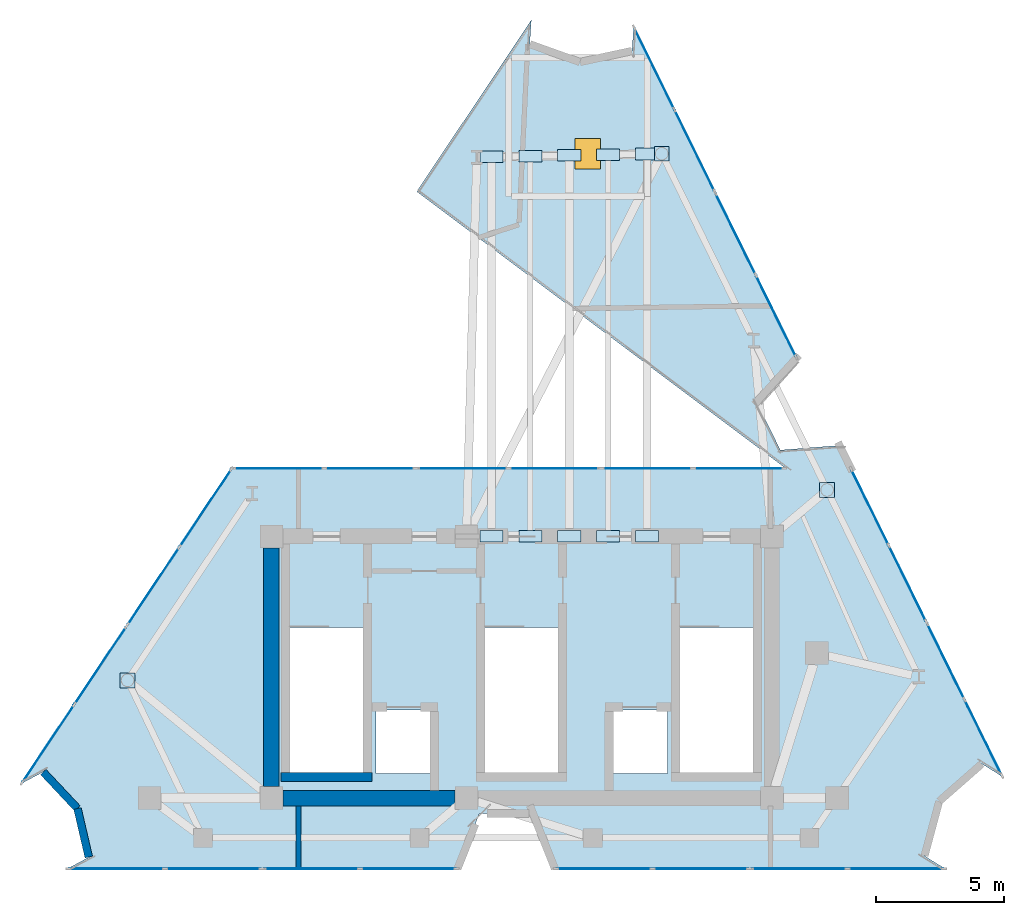
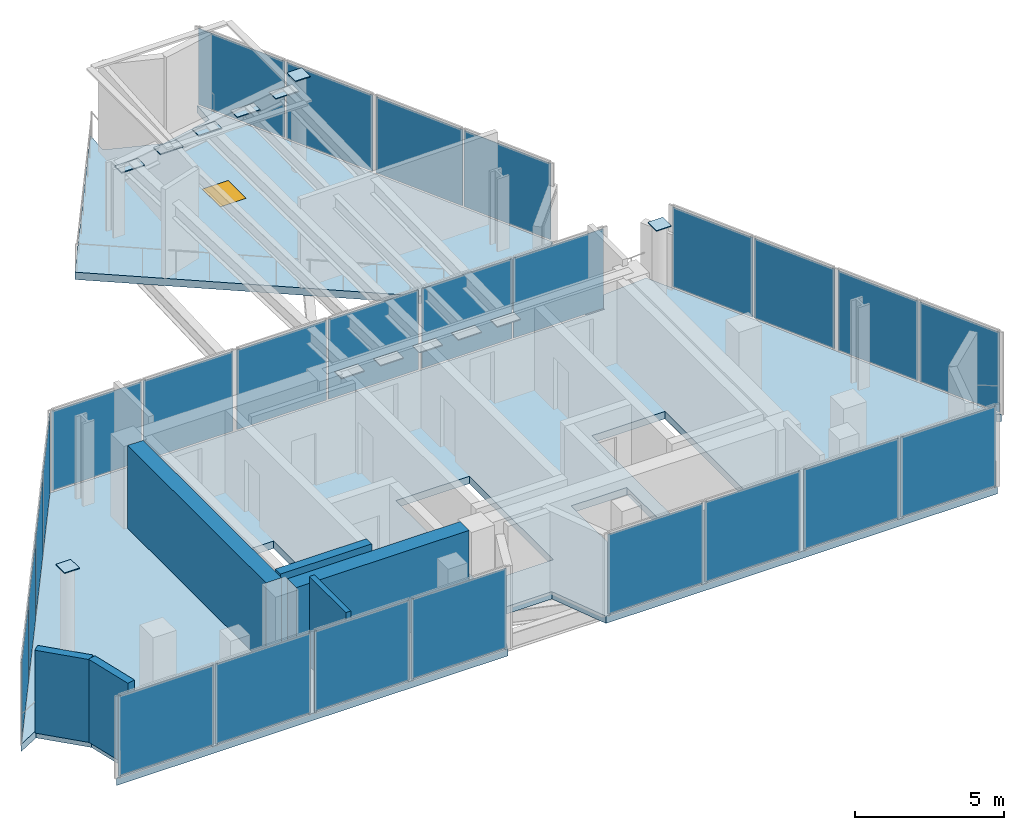
# One storey, part 5 of 7: 39 plates, 6 walls, 1 door, 1 slab, 1 opening, 13 elements without a shape of their own.
"""IFC4 building model written with IfcOpenShell, lengths in metres."""

import ifcopenshell
import ifcopenshell.guid

model = None  # the IFC model being written
_history = None  # IfcOwnerHistory: only IFC2X3 demands one
_inside = {}  # id of a spatial element -> (the spatial element, [elements in it])
_under = {}  # id of a project, library or spatial element -> (it, [spatial elements below it])
_declared = {}  # id of a project -> (the project, [libraries it declares])
_typed = {}  # id of a type object -> (the type object, [elements of that type])
_made_of = {}  # id of a material, layer set ... -> (it, [elements and type objects made of it])


def new_model(schema):
    """Start an empty IFC model of exactly this schema.

    Asked for "IFC4X3", IfcOpenShell would pick the latest addendum, in which some entities
    have other attributes; the version numbers below select the first issue.
    IFC2X3 requires an IfcOwnerHistory on every rooted entity: one is made here for all.
    """
    global model, _history
    if schema == "IFC4X3":
        model = ifcopenshell.file(schema_version=(4, 3, 0, 0))
    else:
        model = ifcopenshell.file(schema=schema)
    _inside.clear()
    _under.clear()
    _declared.clear()
    _typed.clear()
    _made_of.clear()
    _history = None
    if model.schema == "IFC2X3":
        org = make("IfcOrganization", Name="unknown")
        user = make(
            "IfcPersonAndOrganization",
            ThePerson=make("IfcPerson", FamilyName="unknown"),
            TheOrganization=org,
        )
        app = make(
            "IfcApplication",
            ApplicationDeveloper=org,
            Version="unknown",
            ApplicationFullName="unknown",
            ApplicationIdentifier="unknown",
        )
        _history = make(
            "IfcOwnerHistory",
            OwningUser=user,
            OwningApplication=app,
            ChangeAction="ADDED",
            CreationDate=0,
        )
    return model


def make(cls, **values):
    """One entity of the class cls with the attributes given. An attribute that is None is left unset."""
    return model.create_entity(
        cls, **{name: value for name, value in values.items() if value is not None}
    )


def rooted(cls, **values):
    """An entity with a GlobalId (a new one), such as an element, a storey or a relation."""
    return make(cls, GlobalId=ifcopenshell.guid.new(), OwnerHistory=_history, **values)


def si_unit(unit_type, name, prefix=None):
    """IfcSIUnit, for example si_unit("LENGTHUNIT", "METRE", prefix="MILLI")."""
    return make("IfcSIUnit", UnitType=unit_type, Prefix=prefix, Name=name)


def assignment(units):
    """IfcUnitAssignment: the units of a project."""
    return None if units is None else make("IfcUnitAssignment", Units=units)


def point(xyz):
    """IfcCartesianPoint."""
    return None if xyz is None else make("IfcCartesianPoint", Coordinates=xyz)


def direction(xyz):
    """IfcDirection."""
    return None if xyz is None else make("IfcDirection", DirectionRatios=xyz)


def frame(location, z_axis=None, x_axis=None):
    """IfcAxis2Placement3D, a coordinate frame: its origin and axes. An axis left out is left unset."""
    return make(
        "IfcAxis2Placement3D",
        Location=point(location),
        Axis=direction(z_axis),
        RefDirection=direction(x_axis),
    )


def frame_2d(location, x_axis=None):
    """IfcAxis2Placement2D, a coordinate frame in the plane: its origin and x axis."""
    return make(
        "IfcAxis2Placement2D", Location=point(location), RefDirection=direction(x_axis)
    )


def origin():
    """The frame at (0, 0, 0) with its axes left unset."""
    return frame((0.0, 0.0, 0.0))


def origin_2d():
    """The frame at (0, 0) in the plane with its x axis left unset."""
    return frame_2d((0.0, 0.0))


def place(relative_to, where):
    """IfcLocalPlacement: puts the frame where relative to a parent placement (None: the world)."""
    return make(
        "IfcLocalPlacement", PlacementRelTo=relative_to, RelativePlacement=where
    )


def context(
    kind, dimensions, precision=None, world=None, true_north=None, identifier=None
):
    """IfcGeometricRepresentationContext, for example the 3D "Model" context."""
    return make(
        "IfcGeometricRepresentationContext",
        ContextIdentifier=identifier,
        ContextType=kind,
        CoordinateSpaceDimension=dimensions,
        Precision=precision,
        WorldCoordinateSystem=world,
        TrueNorth=true_north,
    )


def subcontext(parent, identifier, kind, view, scale=None):
    """IfcGeometricRepresentationSubContext, for example "Body" below "Model"."""
    return make(
        "IfcGeometricRepresentationSubContext",
        ContextIdentifier=identifier,
        ContextType=kind,
        ParentContext=parent,
        TargetScale=scale,
        TargetView=view,
    )


def project(units=None, contexts=None):
    """IfcProject with its units and contexts."""
    return rooted(
        "IfcProject",
        Name="project",
        RepresentationContexts=contexts,
        UnitsInContext=assignment(units),
    )


def spatial(cls, under=None, at=None, **own):
    """A site, building, storey or space (cls), placed at a placement, below another one or the project."""
    s = rooted(cls, ObjectPlacement=at, **own)
    if under is not None:
        _under.setdefault(under.id(), (under, []))[1].append(s)
    return s


def polyline(points):
    """IfcPolyline through the points."""
    return make("IfcPolyline", Points=[point(p) for p in points])


def profile(cls, at=None, kind="AREA", **sizes):
    """A parametric profile (cls). Its sizes go by their IFC names, for example OverallWidth=200.0."""
    return make(cls, ProfileType=kind, Position=at, **sizes)


def rectangle(**sizes):
    """IfcRectangleProfileDef."""
    return profile("IfcRectangleProfileDef", **sizes)


def outline(outer, holes=None, kind="AREA"):
    """IfcArbitraryClosedProfileDef: a profile drawn as a closed curve; with holes, ...WithVoids."""
    if holes is None:
        return make("IfcArbitraryClosedProfileDef", ProfileType=kind, OuterCurve=outer)
    return make(
        "IfcArbitraryProfileDefWithVoids",
        ProfileType=kind,
        OuterCurve=outer,
        InnerCurves=holes,
    )


def extrude(swept, where, along, depth):
    """IfcExtrudedAreaSolid: the profile swept, set in the frame where, extruded along a direction by depth."""
    return make(
        "IfcExtrudedAreaSolid",
        SweptArea=swept,
        Position=where,
        ExtrudedDirection=direction(along),
        Depth=depth,
    )


def shape(context_of_items, identifier, shape_type, items):
    """IfcShapeRepresentation: the items that make up one representation, for example the "Body"."""
    return make(
        "IfcShapeRepresentation",
        ContextOfItems=context_of_items,
        RepresentationIdentifier=identifier,
        RepresentationType=shape_type,
        Items=items,
    )


def material(Name=None, Category=None):
    """IfcMaterial."""
    return make("IfcMaterial", Name=Name, Category=Category)


def layer(
    of_material, thickness, ventilated=None, Name=None, Category=None, Priority=None
):
    """IfcMaterialLayer: one layer of a wall or slab, of a material (None: an air gap)."""
    return make(
        "IfcMaterialLayer",
        Material=of_material,
        LayerThickness=thickness,
        IsVentilated=ventilated,
        Name=Name,
        Category=Category,
        Priority=Priority,
    )


def layer_set(layers, Name=None):
    """IfcMaterialLayerSet."""
    return make("IfcMaterialLayerSet", MaterialLayers=layers, LayerSetName=Name)


def made_of(thing, what):
    """Note that an element or type object is made of a material, layer set ...; save() writes the relation."""
    if what is not None:
        _made_of.setdefault(what.id(), (what, []))[1].append(thing)
    return thing


def type_object(cls, material=None, **own):
    """A type object (cls), such as IfcWallType, which elements share."""
    return made_of(rooted(cls, **own), material)


def element(
    cls,
    number,
    at=None,
    inside=None,
    cuts=None,
    type_object=None,
    material=None,
    context=None,
    identifier="Body",
    shape_type=None,
    held_by="IfcProductDefinitionShape",
    body=None,
    shapes=None,
    **own,
):
    """One element of the class cls, such as IfcWall. Its Tag is "e" and its number.

    at: its placement. inside: the storey or other place that contains it. cuts: it is an
    opening in that element (IfcRelVoidsElement). A single representation is given by context,
    identifier, shape_type and body (its items); several are given by shapes. held_by: the class
    of the entity that holds the representations. save() writes the other relations.
    """
    e = rooted(cls, Tag="e%d" % number, ObjectPlacement=at, **own)
    if body is not None:
        shapes = [shape(context, identifier, shape_type, body)]
    if shapes is not None:
        e.Representation = make(held_by, Representations=shapes)
    if inside is not None:
        _inside.setdefault(inside.id(), (inside, []))[1].append(e)
    if cuts is not None:
        rooted(
            "IfcRelVoidsElement", RelatingBuildingElement=cuts, RelatedOpeningElement=e
        )
    if type_object is not None:
        _typed.setdefault(type_object.id(), (type_object, []))[1].append(e)
    return made_of(e, material)


def fill(opening, filler):
    """IfcRelFillsElement: the door or window that sits in an opening."""
    return rooted(
        "IfcRelFillsElement",
        RelatingOpeningElement=opening,
        RelatedBuildingElement=filler,
    )


def aggregate(whole, parts):
    """IfcRelAggregates: a whole, such as a stair, and the parts it consists of."""
    return rooted("IfcRelAggregates", RelatingObject=whole, RelatedObjects=parts)


def save(model, path):
    """Write the relations noted so far, then the file.

    IfcRelAggregates (storeys below a building ...), IfcRelContainedInSpatialStructure (elements
    in a storey), IfcRelDefinesByType, IfcRelAssociatesMaterial and IfcRelDeclares: one each for
    every whole, place, type object, material and project.
    """
    for whole, parts in _under.values():
        aggregate(whole, parts)
    for where, things in _inside.values():
        rooted(
            "IfcRelContainedInSpatialStructure",
            RelatedElements=things,
            RelatingStructure=where,
        )
    for kind, things in _typed.values():
        rooted("IfcRelDefinesByType", RelatedObjects=things, RelatingType=kind)
    for what, things in _made_of.values():
        rooted("IfcRelAssociatesMaterial", RelatedObjects=things, RelatingMaterial=what)
    for by, libraries in _declared.values():
        rooted("IfcRelDeclares", RelatingContext=by, RelatedDefinitions=libraries)
    model.write(path)


model = new_model("IFC4")

# Units and contexts
model_context = context("Model", 3, precision=1e-05, world=origin(), true_north=direction((0.0, 1.0)))
body_context = subcontext(model_context, "Body", "Model", "MODEL_VIEW")
ifc_project = project(units=[si_unit("LENGTHUNIT", "METRE"), si_unit("AREAUNIT", "SQUARE_METRE"), si_unit("VOLUMEUNIT", "CUBIC_METRE"), si_unit("PLANEANGLEUNIT", "RADIAN"), si_unit("MASSUNIT", "GRAM", prefix="KILO")], contexts=[model_context])

# Site, building, storey
site_placement = place(None, origin())
site = spatial("IfcSite", under=ifc_project, at=site_placement, CompositionType="ELEMENT")
building_placement = place(site_placement, origin())
building = spatial("IfcBuilding", under=site, at=building_placement, Name="Almagre Mirador Tower", CompositionType="ELEMENT")
storey_placement = place(building_placement, frame((0.0, 0.0, 318.5)))
storey = spatial("IfcBuildingStorey", under=building, at=storey_placement, Name="L82", CompositionType="ELEMENT", Elevation=318.5)

# Plates
ifc_material_1 = material(Name="Steel ASTM A572 Grade 50", Category="steel")
ifc_layer_1 = layer(ifc_material_1, 0.035888671875)
ifc_layer_set_1 = layer_set([ifc_layer_1], Name="Steel ASTM A572 Grade 50")
plate_type_1 = type_object("IfcPlateType", Name="PLT-GUS-1350X900X36", PredefinedType="USERDEFINED", material=ifc_layer_set_1)
for number, where, z_axis, x_axis, name in (
    (1, (49.205078125, 16.55810546875, 3.39697265625), (0.0, 0.0, 1.0), (1.0, 0.0, 0.0), "L82 hollow column top seal cap plate PC06 GP-02"),
    (2, (42.760986328125, 29.662109375, 3.84716796875), (0.0, 0.0, 1.0), (1.0, 0.0, 0.0), "L82 hollow column top seal cap plate PC08 GP-02"),
    (3, (21.944091796875, 9.14208984375, 3.39697265625), (0.0, 0.0, 1.0), (1.0, 0.0, 0.0), "L82 hollow column top seal cap plate PC12 GP-02"),
):
    element("IfcPlate", number, at=place(storey_placement, frame(where, z_axis=z_axis, x_axis=x_axis)), inside=storey, type_object=plate_type_1, Name=name, ObjectType="GUSSET_PLATE", PredefinedType="USERDEFINED", context=body_context, shape_type="SweptSolid", body=[
        extrude(rectangle(XDim=0.580078125, YDim=0.580078125, at=origin_2d()), origin(), (0.0, 0.0, 1.0), 0.035888671875),
    ])
for number, where, z_axis, x_axis, name in (
    (4, (36.128662109375, 14.75, 3.0322265625), (0.0, 0.0, 1.0), (1.0, 0.0, 0.0), "Crown rafter 01 S anchorage plate GP-02"),
    (5, (36.128662109375, 29.536865234375, 2.51220703125), (0.0, 0.0, 1.0), (1.0, 0.0, 0.0), "Crown rafter 01 N anchorage plate GP-02"),
    (6, (37.642578125, 14.75, 3.0322265625), (0.0, 0.0, 1.0), (1.0, 0.0, 0.0), "Crown rafter 02 S anchorage plate GP-02"),
    (7, (37.642578125, 29.5654296875, 2.72216796875), (0.0, 0.0, 1.0), (1.0, 0.0, 0.0), "Crown rafter 02 N anchorage plate GP-02"),
    (8, (39.156494140625, 14.75, 3.0322265625), (0.0, 0.0, 1.0), (1.0, 0.0, 0.0), "Crown rafter 03 S anchorage plate GP-02"),
    (9, (39.156494140625, 29.593994140625, 2.93212890625), (0.0, 0.0, 1.0), (1.0, 0.0, 0.0), "Crown rafter 03 N anchorage plate GP-02"),
    (10, (40.67041015625, 14.75, 3.0322265625), (0.0, 0.0, 1.0), (1.0, 0.0, 0.0), "Crown rafter 04 S anchorage plate GP-02"),
    (11, (40.67041015625, 29.62255859375, 3.14208984375), (0.0, 0.0, 1.0), (1.0, 0.0, 0.0), "Crown rafter 04 N anchorage plate GP-02"),
    (12, (42.184326171875, 14.75, 3.0322265625), (0.0, 0.0, 1.0), (1.0, 0.0, 0.0), "Crown rafter 05 S anchorage plate GP-02"),
    (13, (42.184326171875, 29.651123046875, 3.35205078125), (0.0, 0.0, 1.0), (1.0, 0.0, 0.0), "Crown rafter 05 N anchorage plate GP-02"),
):
    element("IfcPlate", number, at=place(storey_placement, frame(where, z_axis=z_axis, x_axis=x_axis)), inside=storey, type_object=plate_type_1, Name=name, ObjectType="GUSSET_PLATE", PredefinedType="USERDEFINED", context=body_context, shape_type="SweptSolid", body=[
        extrude(rectangle(XDim=0.89990234375, YDim=0.449951171875, at=origin_2d()), origin(), (0.0, 0.0, 1.0), 0.035888671875),
    ])

# Curtain wall, plates
ifc_material_2 = material(Name="Black anodized aluminium", Category="aluminium")
ifc_layer_2 = layer(ifc_material_2, 0.2099609375)
ifc_layer_set_2 = layer_set([ifc_layer_2], Name="Black anodized aluminium")
curtain_wall_type = type_object("IfcCurtainWallType", Name="CW-CRN-SYS", PredefinedType="NOTDEFINED", material=ifc_layer_set_2)
curtain_wall_1_placement = place(storey_placement, origin())
curtain_wall_1 = element("IfcCurtainWall", 14, at=curtain_wall_1_placement, inside=storey, type_object=curtain_wall_type, Name="L82 curtain wall run 01", PredefinedType="NOTDEFINED")
ifc_material_3 = material(Name="Dark solar-control laminated hurricane glass", Category="glass")
ifc_layer_3 = layer(ifc_material_3, 0.030029296875)
ifc_layer_set_3 = layer_set([ifc_layer_3], Name="Dark solar-control laminated hurricane glass")
plate_type_2 = type_object("IfcPlateType", Name="PLT-SPN-30", PredefinedType="CURTAIN_PANEL", material=ifc_layer_set_3)
plate_1_placement = place(storey_placement, frame((18.85498046875, 6.67578125, 0.06494140625), z_axis=(0.0, 0.0, 1.0), x_axis=(0.555219304371, 0.83170398824, 0.0)))
plate_1 = element("IfcPlate", 15, at=plate_1_placement, type_object=plate_type_2, Name="CW-6 panel 1.1", PredefinedType="CURTAIN_PANEL", context=body_context, shape_type="SweptSolid", body=[
    extrude(rectangle(XDim=3.583984375, YDim=0.030029296875, at=origin_2d()), origin(), (0.0, 0.0, 1.0), 3.27001953125),
])
plate_2_placement = place(storey_placement, frame((20.8837890625, 9.71484375, 0.06494140625), z_axis=(0.0, 0.0, 1.0), x_axis=(0.555219304371, 0.83170398824, 0.0)))
plate_2 = element("IfcPlate", 16, at=plate_2_placement, type_object=plate_type_2, Name="CW-6 panel 2.1", PredefinedType="CURTAIN_PANEL", context=body_context, shape_type="SweptSolid", body=[
    extrude(rectangle(XDim=3.583984375, YDim=0.030029296875, at=origin_2d()), origin(), (0.0, 0.0, 1.0), 3.27001953125),
])
aggregate(curtain_wall_1, [plate_1, plate_2])

curtain_wall_2_placement = place(storey_placement, origin())
curtain_wall_2 = element("IfcCurtainWall", 17, at=curtain_wall_2_placement, inside=storey, type_object=curtain_wall_type, Name="L82 curtain wall run 02", PredefinedType="NOTDEFINED")
plate_3_placement = place(storey_placement, frame((22.951416015625, 12.81201171875, 0.06494140625), z_axis=(0.0, 0.0, 1.0), x_axis=(0.555219304371, 0.83170398824, 0.0)))
plate_3 = element("IfcPlate", 18, at=plate_3_placement, type_object=plate_type_2, Name="CW-6 panel 1.1", PredefinedType="CURTAIN_PANEL", context=body_context, shape_type="SweptSolid", body=[
    extrude(rectangle(XDim=3.583984375, YDim=0.030029296875, at=origin_2d()), origin(), (0.0, 0.0, 1.0), 3.27001953125),
])
plate_4_placement = place(storey_placement, frame((24.97998046875, 15.85107421875, 0.06494140625), z_axis=(0.0, 0.0, 1.0), x_axis=(0.555219304371, 0.83170398824, 0.0)))
plate_4 = element("IfcPlate", 19, at=plate_4_placement, type_object=plate_type_2, Name="CW-6 panel 2.1", PredefinedType="CURTAIN_PANEL", context=body_context, shape_type="SweptSolid", body=[
    extrude(rectangle(XDim=3.583984375, YDim=0.030029296875, at=origin_2d()), origin(), (0.0, 0.0, 1.0), 3.27001953125),
])
aggregate(curtain_wall_2, [plate_3, plate_4])

curtain_wall_3_placement = place(storey_placement, origin())
curtain_wall_3 = element("IfcCurtainWall", 20, at=curtain_wall_3_placement, inside=storey, type_object=curtain_wall_type, Name="L82 curtain wall run 03", PredefinedType="NOTDEFINED")
plate_5_placement = place(storey_placement, frame((27.828125, 17.39990234375, 0.06494140625), z_axis=(0.0, 0.0, 1.0), x_axis=(1.0, 0.0, 0.0)))
plate_5 = element("IfcPlate", 21, at=plate_5_placement, type_object=plate_type_2, Name="CW-6 panel 1.1", PredefinedType="CURTAIN_PANEL", context=body_context, shape_type="SweptSolid", body=[
    extrude(rectangle(XDim=3.487548828125, YDim=0.030029296875, at=origin_2d()), origin(), (0.0, 0.0, 1.0), 3.27001953125),
])
plate_6_placement = place(storey_placement, frame((31.3857421875, 17.39990234375, 0.06494140625), z_axis=(0.0, 0.0, 1.0), x_axis=(1.0, 0.0, 0.0)))
plate_6 = element("IfcPlate", 22, at=plate_6_placement, type_object=plate_type_2, Name="CW-6 panel 2.1", PredefinedType="CURTAIN_PANEL", context=body_context, shape_type="SweptSolid", body=[
    extrude(rectangle(XDim=3.487548828125, YDim=0.030029296875, at=origin_2d()), origin(), (0.0, 0.0, 1.0), 3.27001953125),
])
aggregate(curtain_wall_3, [plate_5, plate_6])

curtain_wall_4_placement = place(storey_placement, origin())
curtain_wall_4 = element("IfcCurtainWall", 23, at=curtain_wall_4_placement, inside=storey, type_object=curtain_wall_type, Name="L82 curtain wall run 04", PredefinedType="NOTDEFINED")
plate_7_placement = place(storey_placement, frame((35.013427734375, 17.39990234375, 0.06494140625), z_axis=(0.0, 0.0, 1.0), x_axis=(1.0, 0.0, 0.0)))
plate_7 = element("IfcPlate", 24, at=plate_7_placement, type_object=plate_type_2, Name="CW-6 panel 1.1", PredefinedType="CURTAIN_PANEL", context=body_context, shape_type="SweptSolid", body=[
    extrude(rectangle(XDim=3.487548828125, YDim=0.030029296875, at=origin_2d()), origin(), (0.0, 0.0, 1.0), 3.27001953125),
])
plate_8_placement = place(storey_placement, frame((38.571044921875, 17.39990234375, 0.06494140625), z_axis=(0.0, 0.0, 1.0), x_axis=(1.0, 0.0, 0.0)))
plate_8 = element("IfcPlate", 25, at=plate_8_placement, type_object=plate_type_2, Name="CW-6 panel 2.1", PredefinedType="CURTAIN_PANEL", context=body_context, shape_type="SweptSolid", body=[
    extrude(rectangle(XDim=3.487548828125, YDim=0.030029296875, at=origin_2d()), origin(), (0.0, 0.0, 1.0), 3.27001953125),
])
aggregate(curtain_wall_4, [plate_7, plate_8])

curtain_wall_5_placement = place(storey_placement, origin())
curtain_wall_5 = element("IfcCurtainWall", 26, at=curtain_wall_5_placement, inside=storey, type_object=curtain_wall_type, Name="L82 curtain wall run 05", PredefinedType="NOTDEFINED")
plate_9_placement = place(storey_placement, frame((42.198486328125, 17.39990234375, 0.06494140625), z_axis=(0.0, 0.0, 1.0), x_axis=(1.0, 0.0, 0.0)))
plate_9 = element("IfcPlate", 27, at=plate_9_placement, type_object=plate_type_2, Name="CW-6 panel 1.1", PredefinedType="CURTAIN_PANEL", context=body_context, shape_type="SweptSolid", body=[
    extrude(rectangle(XDim=3.487548828125, YDim=0.030029296875, at=origin_2d()), origin(), (0.0, 0.0, 1.0), 3.27001953125),
])
plate_10_placement = place(storey_placement, frame((45.756103515625, 17.39990234375, 0.06494140625), z_axis=(0.0, 0.0, 1.0), x_axis=(1.0, 0.0, 0.0)))
plate_10 = element("IfcPlate", 28, at=plate_10_placement, type_object=plate_type_2, Name="CW-6 panel 2.1", PredefinedType="CURTAIN_PANEL", context=body_context, shape_type="SweptSolid", body=[
    extrude(rectangle(XDim=3.487548828125, YDim=0.030029296875, at=origin_2d()), origin(), (0.0, 0.0, 1.0), 3.27001953125),
])
aggregate(curtain_wall_5, [plate_9, plate_10])

curtain_wall_6_placement = place(storey_placement, origin())
curtain_wall_6 = element("IfcCurtainWall", 29, at=curtain_wall_6_placement, inside=storey, type_object=curtain_wall_type, Name="L82 curtain wall run 06", PredefinedType="NOTDEFINED")
plate_11_placement = place(storey_placement, frame((42.466064453125, 32.98193359375, 0.06494140625), z_axis=(0.0, 0.0, 1.0), x_axis=(0.441307539568, -0.897355924659, 0.0)))
plate_11 = element("IfcPlate", 30, at=plate_11_placement, type_object=plate_type_2, Name="CW-6 panel 1.1", PredefinedType="CURTAIN_PANEL", context=body_context, shape_type="SweptSolid", body=[
    extrude(rectangle(XDim=3.490478515625, YDim=0.030029296875, at=origin_2d()), origin(), (0.0, 0.0, 1.0), 3.12109375),
])
plate_12_placement = place(storey_placement, frame((44.037353515625, 29.786865234375, 0.06494140625), z_axis=(0.0, 0.0, 1.0), x_axis=(0.441307539568, -0.897355924659, 0.0)))
plate_12 = element("IfcPlate", 31, at=plate_12_placement, type_object=plate_type_2, Name="CW-6 panel 2.1", PredefinedType="CURTAIN_PANEL", context=body_context, shape_type="SweptSolid", body=[
    extrude(rectangle(XDim=3.490478515625, YDim=0.030029296875, at=origin_2d()), origin(), (0.0, 0.0, 1.0), 3.12109375),
])
aggregate(curtain_wall_6, [plate_11, plate_12])

curtain_wall_7_placement = place(storey_placement, origin())
curtain_wall_7 = element("IfcCurtainWall", 32, at=curtain_wall_7_placement, inside=storey, type_object=curtain_wall_type, Name="L82 curtain wall run 07", PredefinedType="NOTDEFINED")
plate_13_placement = place(storey_placement, frame((45.6396484375, 26.529052734375, 0.06494140625), z_axis=(0.0, 0.0, 1.0), x_axis=(0.441307539568, -0.897355924659, 0.0)))
plate_13 = element("IfcPlate", 33, at=plate_13_placement, type_object=plate_type_2, Name="CW-6 panel 1.1", PredefinedType="CURTAIN_PANEL", context=body_context, shape_type="SweptSolid", body=[
    extrude(rectangle(XDim=3.490478515625, YDim=0.030029296875, at=origin_2d()), origin(), (0.0, 0.0, 1.0), 3.12109375),
])
plate_14_placement = place(storey_placement, frame((47.2109375, 23.333984375, 0.06494140625), z_axis=(0.0, 0.0, 1.0), x_axis=(0.441307539568, -0.897355924659, 0.0)))
plate_14 = element("IfcPlate", 34, at=plate_14_placement, type_object=plate_type_2, Name="CW-6 panel 2.1", PredefinedType="CURTAIN_PANEL", context=body_context, shape_type="SweptSolid", body=[
    extrude(rectangle(XDim=3.490478515625, YDim=0.030029296875, at=origin_2d()), origin(), (0.0, 0.0, 1.0), 3.12109375),
])
aggregate(curtain_wall_7, [plate_13, plate_14])

curtain_wall_8_placement = place(storey_placement, origin())
curtain_wall_8 = element("IfcCurtainWall", 35, at=curtain_wall_8_placement, inside=storey, type_object=curtain_wall_type, Name="L82 curtain wall run 08", PredefinedType="NOTDEFINED")
plate_15_placement = place(storey_placement, frame((50.874267578125, 15.883056640625, 0.06494140625), z_axis=(0.0, 0.0, 1.0), x_axis=(0.441310581967, -0.897354428441, 0.0)))
plate_15 = element("IfcPlate", 36, at=plate_15_placement, type_object=plate_type_2, Name="CW-6 panel 1.1", PredefinedType="CURTAIN_PANEL", context=body_context, shape_type="SweptSolid", body=[
    extrude(rectangle(XDim=3.2412109375, YDim=0.030029296875, at=origin_2d()), origin(), (0.0, 0.0, 1.0), 3.27001953125),
])
plate_16_placement = place(storey_placement, frame((52.33544921875, 12.91162109375, 0.06494140625), z_axis=(0.0, 0.0, 1.0), x_axis=(0.441310581967, -0.897354428441, 0.0)))
plate_16 = element("IfcPlate", 37, at=plate_16_placement, type_object=plate_type_2, Name="CW-6 panel 2.1", PredefinedType="CURTAIN_PANEL", context=body_context, shape_type="SweptSolid", body=[
    extrude(rectangle(XDim=3.2412109375, YDim=0.030029296875, at=origin_2d()), origin(), (0.0, 0.0, 1.0), 3.27001953125),
])
aggregate(curtain_wall_8, [plate_15, plate_16])

curtain_wall_9_placement = place(storey_placement, origin())
curtain_wall_9 = element("IfcCurtainWall", 38, at=curtain_wall_9_placement, inside=storey, type_object=curtain_wall_type, Name="L82 curtain wall run 09", PredefinedType="NOTDEFINED")
plate_17_placement = place(storey_placement, frame((53.82763671875, 9.87744140625, 0.06494140625), z_axis=(0.0, 0.0, 1.0), x_axis=(0.441310581967, -0.897354428441, 0.0)))
plate_17 = element("IfcPlate", 39, at=plate_17_placement, type_object=plate_type_2, Name="CW-6 panel 1.1", PredefinedType="CURTAIN_PANEL", context=body_context, shape_type="SweptSolid", body=[
    extrude(rectangle(XDim=3.2412109375, YDim=0.030029296875, at=origin_2d()), origin(), (0.0, 0.0, 1.0), 3.27001953125),
])
plate_18_placement = place(storey_placement, frame((55.288818359375, 6.90625, 0.06494140625), z_axis=(0.0, 0.0, 1.0), x_axis=(0.441310581967, -0.897354428441, 0.0)))
plate_18 = element("IfcPlate", 40, at=plate_18_placement, type_object=plate_type_2, Name="CW-6 panel 2.1", PredefinedType="CURTAIN_PANEL", context=body_context, shape_type="SweptSolid", body=[
    extrude(rectangle(XDim=3.2412109375, YDim=0.030029296875, at=origin_2d()), origin(), (0.0, 0.0, 1.0), 3.27001953125),
])
aggregate(curtain_wall_9, [plate_17, plate_18])

curtain_wall_10_placement = place(storey_placement, origin())
curtain_wall_10 = element("IfcCurtainWall", 41, at=curtain_wall_10_placement, inside=storey, type_object=curtain_wall_type, Name="L82 curtain wall run 10", PredefinedType="NOTDEFINED")
plate_19_placement = place(storey_placement, frame((51.88232421875, 1.800048828125, 0.06494140625), z_axis=(0.0, 0.0, 1.0), x_axis=(-1.0, 0.0, 0.0)))
plate_19 = element("IfcPlate", 42, at=plate_19_placement, type_object=plate_type_2, Name="CW-6 panel 1.1", PredefinedType="CURTAIN_PANEL", context=body_context, shape_type="SweptSolid", body=[
    extrude(rectangle(XDim=3.69482421875, YDim=0.030029296875, at=origin_2d()), origin(), (0.0, 0.0, 1.0), 3.27001953125),
])
plate_20_placement = place(storey_placement, frame((48.117431640625, 1.800048828125, 0.06494140625), z_axis=(0.0, 0.0, 1.0), x_axis=(-1.0, 0.0, 0.0)))
plate_20 = element("IfcPlate", 43, at=plate_20_placement, type_object=plate_type_2, Name="CW-6 panel 2.1", PredefinedType="CURTAIN_PANEL", context=body_context, shape_type="SweptSolid", body=[
    extrude(rectangle(XDim=3.69482421875, YDim=0.030029296875, at=origin_2d()), origin(), (0.0, 0.0, 1.0), 3.27001953125),
])
aggregate(curtain_wall_10, [plate_19, plate_20])

curtain_wall_11_placement = place(storey_placement, origin())
curtain_wall_11 = element("IfcCurtainWall", 44, at=curtain_wall_11_placement, inside=storey, type_object=curtain_wall_type, Name="L82 curtain wall run 11", PredefinedType="NOTDEFINED")
plate_21_placement = place(storey_placement, frame((44.282470703125, 1.800048828125, 0.06494140625), z_axis=(0.0, 0.0, 1.0), x_axis=(-1.0, 0.0, 0.0)))
plate_21 = element("IfcPlate", 45, at=plate_21_placement, type_object=plate_type_2, Name="CW-6 panel 1.1", PredefinedType="CURTAIN_PANEL", context=body_context, shape_type="SweptSolid", body=[
    extrude(rectangle(XDim=3.69482421875, YDim=0.030029296875, at=origin_2d()), origin(), (0.0, 0.0, 1.0), 3.27001953125),
])
plate_22_placement = place(storey_placement, frame((40.517578125, 1.800048828125, 0.06494140625), z_axis=(0.0, 0.0, 1.0), x_axis=(-1.0, 0.0, 0.0)))
plate_22 = element("IfcPlate", 46, at=plate_22_placement, type_object=plate_type_2, Name="CW-6 panel 2.1", PredefinedType="CURTAIN_PANEL", context=body_context, shape_type="SweptSolid", body=[
    extrude(rectangle(XDim=3.69482421875, YDim=0.030029296875, at=origin_2d()), origin(), (0.0, 0.0, 1.0), 3.27001953125),
])
aggregate(curtain_wall_11, [plate_21, plate_22])

curtain_wall_12_placement = place(storey_placement, origin())
curtain_wall_12 = element("IfcCurtainWall", 47, at=curtain_wall_12_placement, inside=storey, type_object=curtain_wall_type, Name="L82 curtain wall run 12", PredefinedType="NOTDEFINED")
plate_23_placement = place(storey_placement, frame((32.88232421875, 1.800048828125, 0.06494140625), z_axis=(0.0, 0.0, 1.0), x_axis=(-1.0, 0.0, 0.0)))
plate_23 = element("IfcPlate", 48, at=plate_23_placement, type_object=plate_type_2, Name="CW-6 panel 1.1", PredefinedType="CURTAIN_PANEL", context=body_context, shape_type="SweptSolid", body=[
    extrude(rectangle(XDim=3.69482421875, YDim=0.030029296875, at=origin_2d()), origin(), (0.0, 0.0, 1.0), 3.27001953125),
])
plate_24_placement = place(storey_placement, frame((29.117431640625, 1.800048828125, 0.06494140625), z_axis=(0.0, 0.0, 1.0), x_axis=(-1.0, 0.0, 0.0)))
plate_24 = element("IfcPlate", 49, at=plate_24_placement, type_object=plate_type_2, Name="CW-6 panel 2.1", PredefinedType="CURTAIN_PANEL", context=body_context, shape_type="SweptSolid", body=[
    extrude(rectangle(XDim=3.69482421875, YDim=0.030029296875, at=origin_2d()), origin(), (0.0, 0.0, 1.0), 3.27001953125),
])
aggregate(curtain_wall_12, [plate_23, plate_24])

curtain_wall_13_placement = place(storey_placement, origin())
curtain_wall_13 = element("IfcCurtainWall", 50, at=curtain_wall_13_placement, inside=storey, type_object=curtain_wall_type, Name="L82 curtain wall run 13", PredefinedType="NOTDEFINED")
plate_25_placement = place(storey_placement, frame((25.282470703125, 1.800048828125, 0.06494140625), z_axis=(0.0, 0.0, 1.0), x_axis=(-1.0, 0.0, 0.0)))
plate_25 = element("IfcPlate", 51, at=plate_25_placement, type_object=plate_type_2, Name="CW-6 panel 1.1", PredefinedType="CURTAIN_PANEL", context=body_context, shape_type="SweptSolid", body=[
    extrude(rectangle(XDim=3.69482421875, YDim=0.030029296875, at=origin_2d()), origin(), (0.0, 0.0, 1.0), 3.27001953125),
])
plate_26_placement = place(storey_placement, frame((21.517578125, 1.800048828125, 0.06494140625), z_axis=(0.0, 0.0, 1.0), x_axis=(-1.0, 0.0, 0.0)))
plate_26 = element("IfcPlate", 52, at=plate_26_placement, type_object=plate_type_2, Name="CW-6 panel 2.1", PredefinedType="CURTAIN_PANEL", context=body_context, shape_type="SweptSolid", body=[
    extrude(rectangle(XDim=3.69482421875, YDim=0.030029296875, at=origin_2d()), origin(), (0.0, 0.0, 1.0), 3.27001953125),
])
aggregate(curtain_wall_13, [plate_25, plate_26])

# Slab, opening, door
ifc_material_4 = material(Name="Concrete C45/55", Category="concrete")
ifc_layer_4 = layer(ifc_material_4, 0.300048828125)
ifc_layer_set_4 = layer_set([ifc_layer_4], Name="Concrete C45/55")
slab_type = type_object("IfcSlabType", Name="SLB-FLR-300", PredefinedType="FLOOR", material=ifc_layer_set_4)
slab_placement = place(storey_placement, frame((0.0, 0.0, -0.300048828125)))
slab = element("IfcSlab", 53, at=slab_placement, inside=storey, type_object=slab_type, Name="L82 structural floor slab", PredefinedType="FLOOR", context=body_context, shape_type="SweptSolid", body=[
    extrude(outline(polyline([(17.8212890625, 5.127197265625), (18.647216796875, 5.568359375), (18.648193359375, 5.56884765625), (18.649169921875, 5.569091796875), (18.650146484375, 5.5693359375), (18.651123046875, 5.569580078125), (18.652099609375, 5.569580078125), (18.653076171875, 5.569580078125), (18.654052734375, 5.5693359375), (18.655029296875, 5.569091796875), (18.656005859375, 5.568603515625), (18.656982421875, 5.568359375), (18.65771484375, 5.567626953125), (18.658447265625, 5.567138671875), (18.6591796875, 5.56640625), (19.9892578125, 4.14990234375), (19.98974609375, 4.149169921875), (19.990478515625, 4.148193359375), (19.990966796875, 4.1474609375), (19.9912109375, 4.146484375), (19.99169921875, 4.1455078125), (20.431396484375, 2.25341796875), (20.431396484375, 2.25244140625), (20.431396484375, 2.25146484375), (20.431396484375, 2.25048828125), (20.431396484375, 2.24951171875), (20.43115234375, 2.24853515625), (20.430908203125, 2.24755859375), (20.430419921875, 2.24658203125), (20.429931640625, 2.245849609375), (20.42919921875, 2.244873046875), (20.4287109375, 2.244140625), (20.427978515625, 2.243408203125), (20.427001953125, 2.242919921875), (20.42626953125, 2.242431640625), (19.60009765625, 1.800048828125), (19.60009765625, 1.800048828125), (19.60009765625, 1.800048828125), (34.7998046875, 1.800048828125), (34.800048828125, 1.800048828125), (34.800048828125, 1.80029296875), (35.652587890625, 3.943603515625), (35.65283203125, 3.944580078125), (35.6533203125, 3.945556640625), (35.654052734375, 3.9462890625), (35.654541015625, 3.947021484375), (35.655517578125, 3.94775390625), (35.65625, 3.9482421875), (35.656982421875, 3.94873046875), (35.657958984375, 3.94921875), (35.65869140625, 3.94970703125), (35.659912109375, 3.94970703125), (35.660888671875, 3.949951171875), (35.661865234375, 3.949951171875), (37.73828125, 3.949951171875), (37.7392578125, 3.949951171875), (37.740234375, 3.94970703125), (37.7412109375, 3.94970703125), (37.7421875, 3.94921875), (37.742919921875, 3.94873046875), (37.743896484375, 3.9482421875), (37.74462890625, 3.94775390625), (37.745361328125, 3.947021484375), (37.74609375, 3.9462890625), (37.74658203125, 3.945556640625), (37.7470703125, 3.944580078125), (37.74755859375, 3.943603515625), (38.599853515625, 1.80029296875), (38.60009765625, 1.800048828125), (38.60009765625, 1.800048828125), (53.7998046875, 1.800048828125), (53.800048828125, 1.800048828125), (53.7998046875, 1.800048828125), (53.00439453125, 2.295166015625), (53.00341796875, 2.295654296875), (53.002685546875, 2.29638671875), (53.002197265625, 2.297119140625), (53.00146484375, 2.297607421875), (53.0009765625, 2.298583984375), (53.00048828125, 2.29931640625), (53.0, 2.30029296875), (52.999755859375, 2.30126953125), (52.999755859375, 2.30224609375), (52.99951171875, 2.30322265625), (52.99951171875, 2.30419921875), (52.999755859375, 2.30517578125), (53.0, 2.30615234375), (53.5712890625, 4.42919921875), (53.571533203125, 4.429931640625), (53.572021484375, 4.430908203125), (53.572509765625, 4.431884765625), (53.572998046875, 4.4326171875), (53.573486328125, 4.433349609375), (53.57421875, 4.43408203125), (55.227294921875, 5.884033203125), (55.228271484375, 5.884765625), (55.22900390625, 5.88525390625), (55.22998046875, 5.8857421875), (55.230712890625, 5.885986328125), (55.231689453125, 5.88623046875), (55.232666015625, 5.886474609375), (55.233642578125, 5.88671875), (55.234619140625, 5.88671875), (55.235595703125, 5.886474609375), (55.236572265625, 5.88623046875), (55.237548828125, 5.885986328125), (55.23828125, 5.885498046875), (55.2392578125, 5.885009765625), (56.034912109375, 5.38916015625), (56.034912109375, 5.388916015625), (56.034912109375, 5.38916015625), (50.128173828125, 17.39990234375), (49.68798828125, 18.294921875), (49.68798828125, 18.294921875), (49.687744140625, 18.294921875), (47.388916015625, 18.113525390625), (47.3876953125, 18.113525390625), (47.38671875, 18.113525390625), (47.3857421875, 18.11376953125), (47.384765625, 18.114013671875), (47.3837890625, 18.114501953125), (47.383056640625, 18.11474609375), (47.382080078125, 18.115234375), (47.38134765625, 18.115966796875), (47.380615234375, 18.11669921875), (47.380126953125, 18.117431640625), (47.37939453125, 18.1181640625), (47.37890625, 18.119140625), (46.462890625, 19.98291015625), (46.462646484375, 19.98388671875), (46.46240234375, 19.98486328125), (46.462158203125, 19.985595703125), (46.4619140625, 19.98681640625), (46.4619140625, 19.98779296875), (46.462158203125, 19.98876953125), (46.462158203125, 19.98974609375), (46.46240234375, 19.990478515625), (46.462890625, 19.99169921875), (46.46337890625, 19.992431640625), (46.4638671875, 19.993408203125), (46.464599609375, 19.993896484375), (48.01171875, 21.704833984375), (48.011962890625, 21.705078125), (48.011962890625, 21.705078125), (41.6650390625, 34.61083984375), (41.6650390625, 34.611083984375), (41.6650390625, 34.61083984375), (41.603515625, 33.675537109375), (41.603515625, 33.674560546875), (41.603271484375, 33.673583984375), (41.602783203125, 33.672607421875), (41.6025390625, 33.671630859375), (41.60205078125, 33.6708984375), (41.601318359375, 33.669921875), (41.600830078125, 33.669189453125), (41.60009765625, 33.668701171875), (41.59912109375, 33.66796875), (41.598388671875, 33.66748046875), (41.597412109375, 33.6669921875), (41.5966796875, 33.666748046875), (41.595703125, 33.66650390625), (39.57568359375, 33.231689453125), (39.574951171875, 33.2314453125), (39.573974609375, 33.2314453125), (39.572998046875, 33.2314453125), (39.572021484375, 33.2314453125), (39.5712890625, 33.231689453125), (39.5703125, 33.23193359375), (37.6240234375, 33.927490234375), (37.623291015625, 33.927734375), (37.622314453125, 33.92822265625), (37.62158203125, 33.928955078125), (37.62060546875, 33.929443359375), (37.6201171875, 33.93017578125), (37.619384765625, 33.930908203125), (37.618896484375, 33.931884765625), (37.618408203125, 33.9326171875), (37.617919921875, 33.93359375), (37.61767578125, 33.9345703125), (37.61767578125, 33.935546875), (37.617431640625, 33.9365234375), (37.617431640625, 33.9375), (37.678955078125, 34.872802734375), (37.678955078125, 34.873046875), (37.678955078125, 34.872802734375), (33.21630859375, 28.18798828125), (33.21630859375, 28.18798828125), (33.21630859375, 28.187744140625), (47.575927734375, 17.41796875), (47.576904296875, 17.41748046875), (47.577392578125, 17.41650390625), (47.578125, 17.416015625), (47.57861328125, 17.4150390625), (47.5791015625, 17.4140625), (47.57958984375, 17.4130859375), (47.57958984375, 17.412353515625), (47.579833984375, 17.411376953125), (47.580078125, 17.410400390625), (47.580078125, 17.4091796875), (47.579833984375, 17.408203125), (47.57958984375, 17.4072265625), (47.579345703125, 17.406494140625), (47.578857421875, 17.405517578125), (47.578369140625, 17.404541015625), (47.577880859375, 17.40380859375), (47.5771484375, 17.403076171875), (47.576416015625, 17.40234375), (47.57568359375, 17.401611328125), (47.57470703125, 17.401123046875), (47.573974609375, 17.40087890625), (47.572998046875, 17.400390625), (47.572021484375, 17.400146484375), (47.571044921875, 17.39990234375), (47.570068359375, 17.39990234375), (26.014404296875, 17.39990234375), (26.01416015625, 17.39990234375), (26.013916015625, 17.39990234375), (17.821044921875, 5.127197265625), (17.821044921875, 5.126953125), (17.8212890625, 5.127197265625)]), holes=[polyline([(43.47509765625, 5.550048828125), (43.47509765625, 11.196044921875), (46.324951171875, 11.196044921875), (46.324951171875, 5.550048828125), (43.47509765625, 5.550048828125)]), polyline([(42.97998046875, 7.97998046875), (42.97998046875, 5.52001953125), (40.820068359375, 5.52001953125), (40.820068359375, 7.97998046875), (42.97998046875, 7.97998046875)]), polyline([(35.875, 5.550048828125), (35.875, 11.196044921875), (38.72509765625, 11.196044921875), (38.72509765625, 5.550048828125), (35.875, 5.550048828125)]), polyline([(33.780029296875, 7.97998046875), (33.780029296875, 5.52001953125), (31.6201171875, 5.52001953125), (31.6201171875, 7.97998046875), (33.780029296875, 7.97998046875)]), polyline([(31.125, 5.550048828125), (28.27490234375, 5.550048828125), (28.27490234375, 11.196044921875), (31.125, 11.196044921875), (31.125, 5.550048828125)])]), origin(), (0.0, 0.0, 1.0), 0.300048828125),
])
opening_placement = place(slab_placement, frame((39.87109375, 29.662109375, 0.0)))
opening = element("IfcOpeningElement", 54, at=opening_placement, cuts=slab, Name="Opening RH-01", PredefinedType="OPENING", context=body_context, shape_type="SweptSolid", body=[
    extrude(rectangle(XDim=1.0, YDim=1.199951171875, at=origin_2d()), origin(), (0.0, 0.0, 1.0), 0.300048828125),
])
ifc_material_5 = material(Name="Insulated aluminium roof hatch", Category="aluminium")
door_type = type_object("IfcDoorType", Name="DOR-HAT-1000X1200", OperationType="SINGLE_SWING_LEFT", PredefinedType="TRAPDOOR", material=ifc_material_5)
door_placement = place(opening_placement, frame((0.0, 0.0, 0.25)))
door = element("IfcDoor", 55, at=door_placement, inside=storey, type_object=door_type, Name="DR-2381 L82 mechanical access hatch RH-06", OperationType="SINGLE_SWING_LEFT", OverallHeight=1.199951171875, OverallWidth=1.0, PredefinedType="TRAPDOOR", context=body_context, shape_type="SweptSolid", body=[
    extrude(rectangle(XDim=1.0, YDim=1.199951171875, at=origin_2d()), origin(), (0.0, 0.0, 1.0), 0.050048828125),
])
fill(opening, door)

# Walls
ifc_material_6 = material(Name="Precast concrete C50/60", Category="concrete")
ifc_layer_5 = layer(ifc_material_6, 0.300048828125)
ifc_layer_set_5 = layer_set([ifc_layer_5], Name="Precast concrete C50/60")
wall_type_1 = type_object("IfcWallType", Name="WAL-EXT-300", PredefinedType="SOLIDWALL", material=ifc_layer_set_5)
wall_1_placement = place(storey_placement, frame((20.431396484375, 2.25341796875, 0.0), z_axis=(0.0, 0.0, 1.0), x_axis=(-0.226355436514, 0.97404477123, 0.0)))
element("IfcWall", 56, at=wall_1_placement, inside=storey, type_object=wall_type_1, Name="L82 expressed almagre precast frame wall 10", PredefinedType="SOLIDWALL", context=body_context, shape_type="SweptSolid", body=[
    extrude(rectangle(XDim=1.942626953125, YDim=0.300048828125, at=frame_2d((0.97119140625, 0.0))), origin(), (0.0, 0.0, 1.0), 3.39990234375),
])
wall_2_placement = place(storey_placement, frame((19.9892578125, 4.14990234375, 0.0), z_axis=(0.0, 0.0, 1.0), x_axis=(-0.684517683679, 0.728996255636, 0.0)))
element("IfcWall", 57, at=wall_2_placement, inside=storey, type_object=wall_type_1, Name="L82 expressed almagre precast frame wall 11", PredefinedType="SOLIDWALL", context=body_context, shape_type="SweptSolid", body=[
    extrude(rectangle(XDim=1.943115234375, YDim=0.300048828125, at=frame_2d((0.9716796875, 0.0))), origin(), (0.0, 0.0, 1.0), 3.39990234375),
])
ifc_material_7 = material(Name="Gypsum acoustic stud partition", Category="other")
ifc_layer_6 = layer(ifc_material_7, 0.199951171875)
ifc_layer_set_6 = layer_set([ifc_layer_6], Name="Gypsum acoustic stud partition")
wall_type_2 = type_object("IfcWallType", Name="WAL-PRT-200-EI60", PredefinedType="PARTITIONING", material=ifc_layer_set_6)
wall_3_placement = place(storey_placement, frame((28.60009765625, 4.25, 0.0), z_axis=(0.0, 0.0, 1.0), x_axis=(0.0, -1.0, 0.0)))
element("IfcWall", 58, at=wall_3_placement, inside=storey, type_object=wall_type_2, Name="L82 interior partition 003", PredefinedType="PARTITIONING", context=body_context, shape_type="SweptSolid", body=[
    extrude(rectangle(XDim=2.449951171875, YDim=0.199951171875, at=frame_2d((1.22509765625, 0.0))), origin(), (0.0, 0.0, 1.0), 3.679931640625),
])
ifc_material_8 = material(Name="Concrete C60/75", Category="concrete")
ifc_layer_7 = layer(ifc_material_8, 0.35009765625)
ifc_layer_set_7 = layer_set([ifc_layer_7], Name="Concrete C60/75")
wall_type_3 = type_object("IfcWallType", Name="WAL-SHF-350", PredefinedType="SOLIDWALL", material=ifc_layer_set_7)
wall_4_placement = place(storey_placement, frame((27.925048828125, 5.375, 0.0), z_axis=(0.0, 0.0, 1.0), x_axis=(1.0, 0.0, 0.0)))
element("IfcWall", 59, at=wall_4_placement, inside=storey, type_object=wall_type_3, Name="L82 shaft wall ST1-S", PredefinedType="SOLIDWALL", context=body_context, shape_type="SweptSolid", body=[
    extrude(rectangle(XDim=3.550048828125, YDim=0.35009765625, at=frame_2d((1.77490234375, 0.0))), origin(), (0.0, 0.0, 1.0), 3.39990234375),
])
ifc_material_9 = material(Name="Concrete C60/75", Category="concrete")
ifc_layer_8 = layer(ifc_material_9, 0.60009765625)
ifc_layer_set_8 = layer_set([ifc_layer_8], Name="Concrete C60/75")
wall_type_4 = type_object("IfcWallType", Name="WAL-SHR-600", PredefinedType="SHEAR", material=ifc_layer_set_8)
wall_5_placement = place(storey_placement, frame((28.0, 4.550048828125, 0.0), z_axis=(0.0, 0.0, 1.0), x_axis=(1.0, 0.0, 0.0)))
element("IfcWall", 60, at=wall_5_placement, inside=storey, type_object=wall_type_4, Name="L82 core shear wall S1", PredefinedType="SHEAR", context=body_context, shape_type="SweptSolid", body=[
    extrude(rectangle(XDim=6.699951171875, YDim=0.60009765625, at=frame_2d((3.35009765625, 0.0))), origin(), (0.0, 0.0, 1.0), 3.39990234375),
])
wall_6_placement = place(storey_placement, frame((27.550048828125, 5.0, 0.0), z_axis=(0.0, 0.0, 1.0), x_axis=(0.0, 1.0, 0.0)))
element("IfcWall", 61, at=wall_6_placement, inside=storey, type_object=wall_type_4, Name="L82 core shear wall W1", PredefinedType="SHEAR", context=body_context, shape_type="SweptSolid", body=[
    extrude(rectangle(XDim=9.300048828125, YDim=0.60009765625, at=frame_2d((4.64990234375, 0.0))), origin(), (0.0, 0.0, 1.0), 3.39990234375),
])

save(model, "model.ifc")
